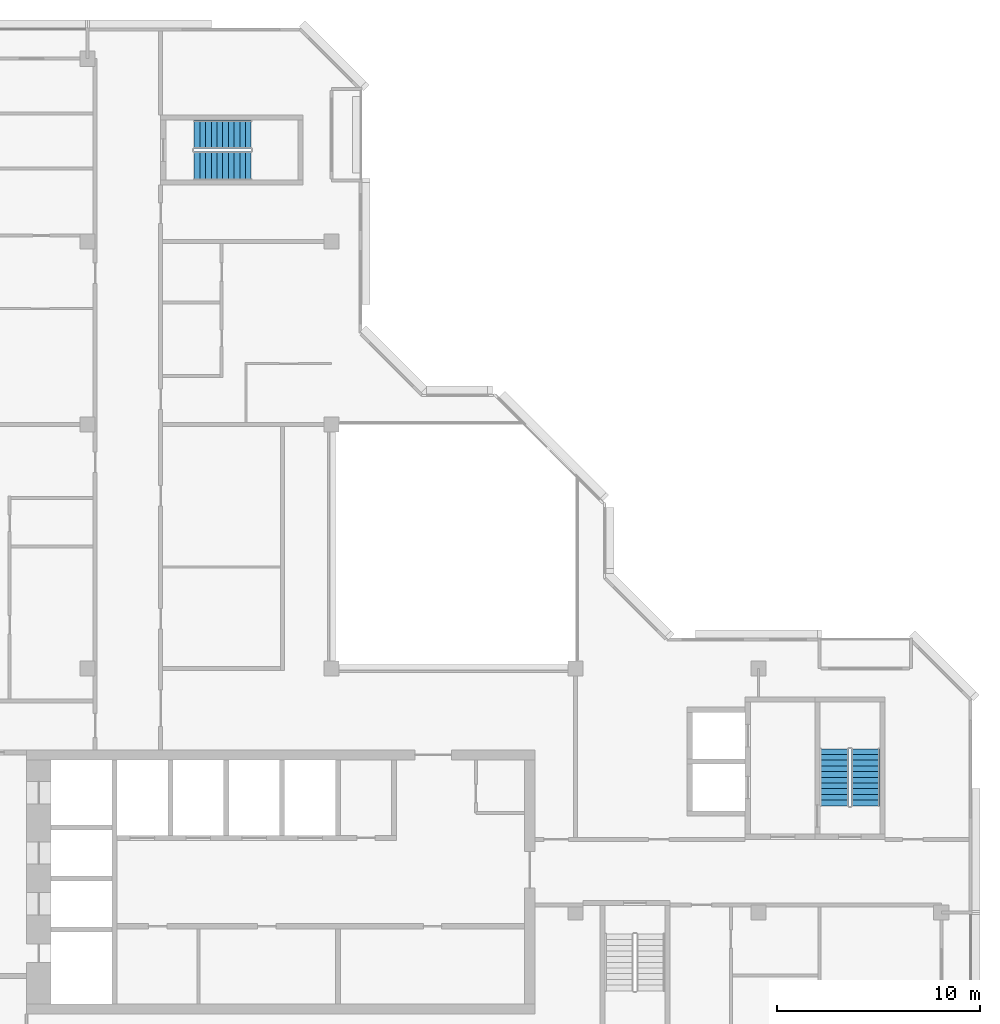
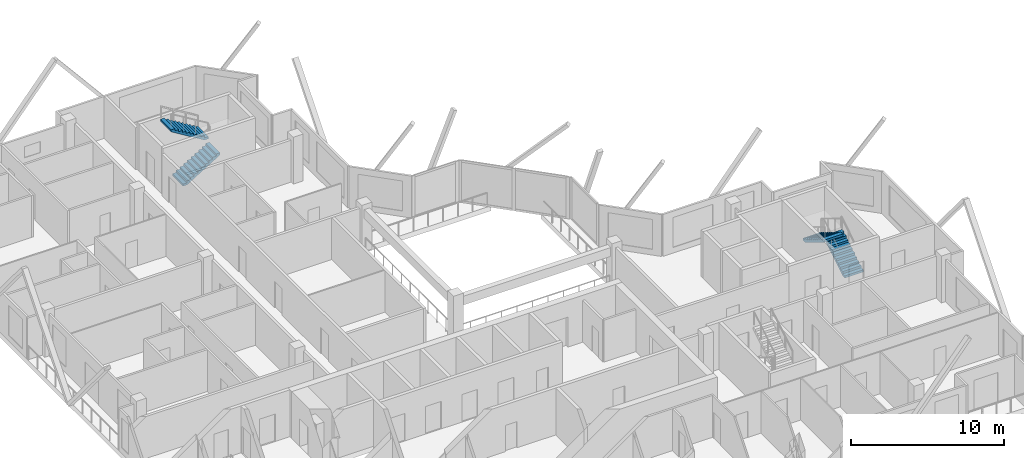
# One storey, part 10 of 12: 4 stair flights, 2 elements without a shape of their own.
"""IFC4 building model written with IfcOpenShell, lengths in metres."""

from ifc_helpers import new_model, si_unit, direction, frame, origin, place, context, subcontext, project, spatial, polyline, outline, extrude, material, type_object, element, aggregate, save


model = new_model("IFC4")

# Units and contexts
model_context = context("Model", 3, precision=1e-05, world=origin(), true_north=direction((0.0, 1.0)))
body_context = subcontext(model_context, "Body", "Model", "MODEL_VIEW")
ifc_project = project(units=[si_unit("LENGTHUNIT", "METRE"), si_unit("AREAUNIT", "SQUARE_METRE"), si_unit("VOLUMEUNIT", "CUBIC_METRE"), si_unit("PLANEANGLEUNIT", "RADIAN"), si_unit("MASSUNIT", "GRAM", prefix="KILO")], contexts=[model_context])

# Site, building, storey
site_placement = place(None, origin())
site = spatial("IfcSite", under=ifc_project, at=site_placement, CompositionType="ELEMENT")
building_placement = place(site_placement, origin())
building = spatial("IfcBuilding", under=site, at=building_placement, Name="Chenar Terraces", CompositionType="ELEMENT")
storey_placement = place(building_placement, frame((0.0, 0.0, 353.89990234375)))
storey = spatial("IfcBuildingStorey", under=building, at=storey_placement, Name="L82", CompositionType="ELEMENT", Elevation=353.89990234375)

# Stair, stair flights
ifc_material_1 = material(Name="Reinforced concrete C40/50", Category="concrete")
stair_type = type_object("IfcStairType", Name="Core stair 1400 half-turn", PredefinedType="HALF_TURN_STAIR", material=ifc_material_1)
placement = place(storey_placement, origin())
stair_1 = element("IfcStair", 1, at=placement, inside=storey, type_object=stair_type, Name="L82 Stair 3", PredefinedType="HALF_TURN_STAIR")
ifc_material_2 = material(Name="Reinforced concrete C40/50", Category="concrete")
stair_flight_type = type_object("IfcStairFlightType", Name="Core stair flight 1400", PredefinedType="STRAIGHT", material=ifc_material_2)
stair_flight_1_placement = place(storey_placement, frame((50.27490234375, 17.25, 0.0), z_axis=(0.0, 0.0, 1.0), x_axis=(0.0, 1.0, 0.0)))
stair_flight_1 = element("IfcStairFlight", 2, at=stair_flight_1_placement, type_object=stair_flight_type, Name="ST3 flight 1", NumberOfRisers=11, NumberOfTreads=10, PredefinedType="STRAIGHT", RiserHeight=0.170454545, TreadLength=0.28, context=body_context, shape_type="SweptSolid", body=[
    extrude(outline(polyline([(-0.0029296875, 0.0), (-0.0029296875, 0.17041015625), (0.0, 0.17041015625), (0.280029296875, 0.17041015625), (0.280029296875, 0.3408203125), (0.56005859375, 0.3408203125), (0.56005859375, 0.511474609375), (0.840087890625, 0.511474609375), (0.840087890625, 0.681884765625), (1.1201171875, 0.681884765625), (1.1201171875, 0.852294921875), (1.39990234375, 0.852294921875), (1.39990234375, 1.022705078125), (1.679931640625, 1.022705078125), (1.679931640625, 1.193115234375), (1.9599609375, 1.193115234375), (1.9599609375, 1.363525390625), (2.239990234375, 1.363525390625), (2.239990234375, 1.5341796875), (2.52001953125, 1.5341796875), (2.52001953125, 1.70458984375), (2.800048828125, 1.70458984375), (2.802978515625, 1.70458984375), (2.802978515625, 1.529052734375), (2.800048828125, 1.529052734375), (0.288330078125, 0.0), (-0.0029296875, 0.0)])), frame((0.0, 0.699951171875, 0.0), z_axis=(0.0, -1.0, 0.0), x_axis=(1.0, 0.0, 0.0)), (0.0, 0.0, 1.0), 1.39990234375),
])
stair_flight_2_placement = place(storey_placement, frame((48.72509765625, 20.050048828125, 1.875), z_axis=(0.0, 0.0, 1.0), x_axis=(0.0, -1.0, 0.0)))
stair_flight_2 = element("IfcStairFlight", 3, at=stair_flight_2_placement, type_object=stair_flight_type, Name="ST3 flight 2", NumberOfRisers=11, NumberOfTreads=10, PredefinedType="STRAIGHT", RiserHeight=0.170454545, TreadLength=0.28, context=body_context, shape_type="SweptSolid", body=[
    extrude(outline(polyline([(-0.0029296875, 0.0), (-0.0029296875, 0.17041015625), (0.0, 0.17041015625), (0.280029296875, 0.17041015625), (0.280029296875, 0.3408203125), (0.56005859375, 0.3408203125), (0.56005859375, 0.511474609375), (0.840087890625, 0.511474609375), (0.840087890625, 0.681884765625), (1.1201171875, 0.681884765625), (1.1201171875, 0.852294921875), (1.39990234375, 0.852294921875), (1.39990234375, 1.022705078125), (1.679931640625, 1.022705078125), (1.679931640625, 1.193115234375), (1.9599609375, 1.193115234375), (1.9599609375, 1.363525390625), (2.239990234375, 1.363525390625), (2.239990234375, 1.5341796875), (2.52001953125, 1.5341796875), (2.52001953125, 1.70458984375), (2.800048828125, 1.70458984375), (2.802978515625, 1.70458984375), (2.802978515625, 1.529052734375), (2.800048828125, 1.529052734375), (0.288330078125, 0.0), (-0.0029296875, 0.0)])), frame((0.0, 0.699951171875, 0.0), z_axis=(0.0, -1.0, 0.0), x_axis=(1.0, 0.0, 0.0)), (0.0, 0.0, 1.0), 1.39990234375),
])
aggregate(stair_1, [stair_flight_1, stair_flight_2])

stair_2 = element("IfcStair", 4, at=placement, inside=storey, type_object=stair_type, Name="L82 Stair 4", PredefinedType="HALF_TURN_STAIR")
stair_flight_3_placement = place(storey_placement, frame((17.25, 48.72509765625, 0.0), z_axis=(0.0, 0.0, 1.0), x_axis=(1.0, 0.0, 0.0)))
stair_flight_3 = element("IfcStairFlight", 5, at=stair_flight_3_placement, type_object=stair_flight_type, Name="ST4 flight 1", NumberOfRisers=11, NumberOfTreads=10, PredefinedType="STRAIGHT", RiserHeight=0.170454545, TreadLength=0.28, context=body_context, shape_type="SweptSolid", body=[
    extrude(outline(polyline([(-0.0029296875, 0.0), (-0.0029296875, 0.17041015625), (0.0, 0.17041015625), (0.280029296875, 0.17041015625), (0.280029296875, 0.3408203125), (0.56005859375, 0.3408203125), (0.56005859375, 0.511474609375), (0.840087890625, 0.511474609375), (0.840087890625, 0.681884765625), (1.1201171875, 0.681884765625), (1.1201171875, 0.852294921875), (1.39990234375, 0.852294921875), (1.39990234375, 1.022705078125), (1.679931640625, 1.022705078125), (1.679931640625, 1.193115234375), (1.9599609375, 1.193115234375), (1.9599609375, 1.363525390625), (2.239990234375, 1.363525390625), (2.239990234375, 1.5341796875), (2.52001953125, 1.5341796875), (2.52001953125, 1.70458984375), (2.800048828125, 1.70458984375), (2.802978515625, 1.70458984375), (2.802978515625, 1.529052734375), (2.800048828125, 1.529052734375), (0.288330078125, 0.0), (-0.0029296875, 0.0)])), frame((0.0, 0.699951171875, 0.0), z_axis=(0.0, -1.0, 0.0), x_axis=(1.0, 0.0, 0.0)), (0.0, 0.0, 1.0), 1.39990234375),
])
stair_flight_4_placement = place(storey_placement, frame((20.050048828125, 50.27490234375, 1.875), z_axis=(0.0, 0.0, 1.0), x_axis=(-1.0, 0.0, 0.0)))
stair_flight_4 = element("IfcStairFlight", 6, at=stair_flight_4_placement, type_object=stair_flight_type, Name="ST4 flight 2", NumberOfRisers=11, NumberOfTreads=10, PredefinedType="STRAIGHT", RiserHeight=0.170454545, TreadLength=0.28, context=body_context, shape_type="SweptSolid", body=[
    extrude(outline(polyline([(-0.0029296875, 0.0), (-0.0029296875, 0.17041015625), (0.0, 0.17041015625), (0.280029296875, 0.17041015625), (0.280029296875, 0.3408203125), (0.56005859375, 0.3408203125), (0.56005859375, 0.511474609375), (0.840087890625, 0.511474609375), (0.840087890625, 0.681884765625), (1.1201171875, 0.681884765625), (1.1201171875, 0.852294921875), (1.39990234375, 0.852294921875), (1.39990234375, 1.022705078125), (1.679931640625, 1.022705078125), (1.679931640625, 1.193115234375), (1.9599609375, 1.193115234375), (1.9599609375, 1.363525390625), (2.239990234375, 1.363525390625), (2.239990234375, 1.5341796875), (2.52001953125, 1.5341796875), (2.52001953125, 1.70458984375), (2.800048828125, 1.70458984375), (2.802978515625, 1.70458984375), (2.802978515625, 1.529052734375), (2.800048828125, 1.529052734375), (0.288330078125, 0.0), (-0.0029296875, 0.0)])), frame((0.0, 0.699951171875, 0.0), z_axis=(0.0, -1.0, 0.0), x_axis=(1.0, 0.0, 0.0)), (0.0, 0.0, 1.0), 1.39990234375),
])
aggregate(stair_2, [stair_flight_3, stair_flight_4])

save(model, "model.ifc")
